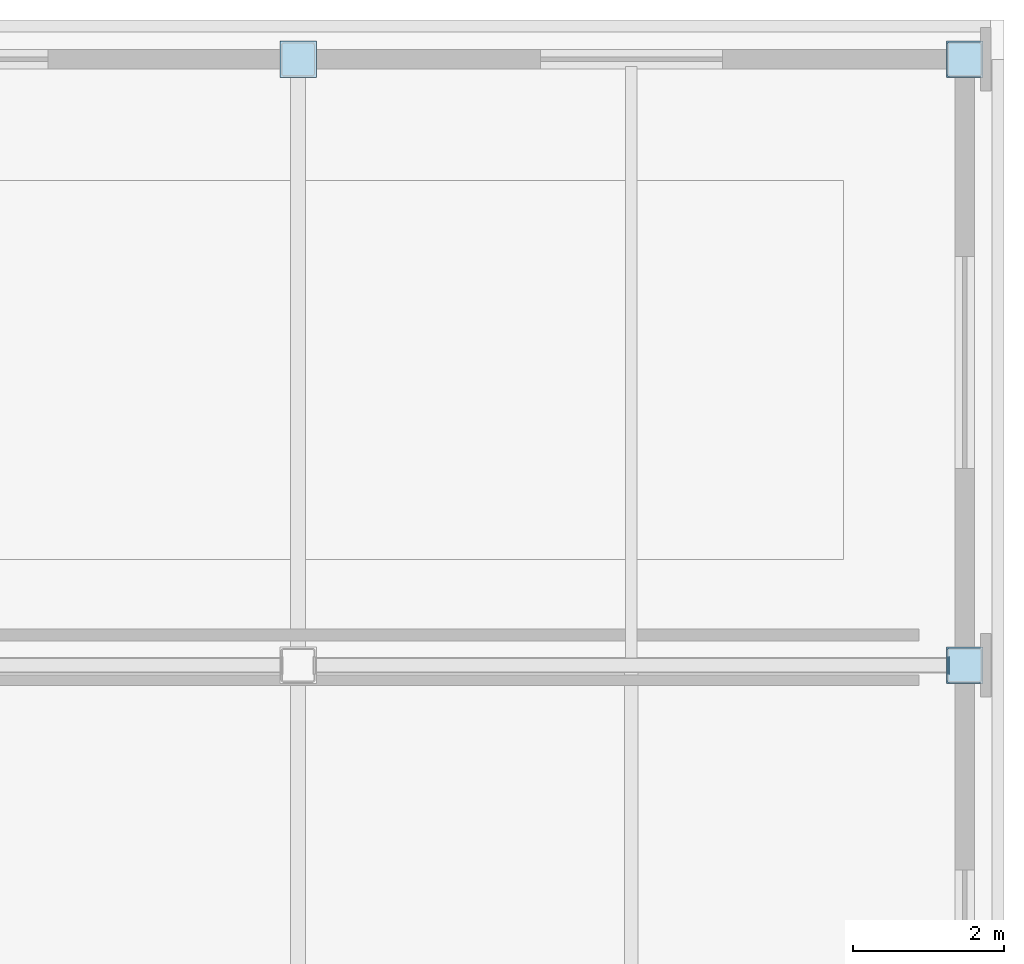
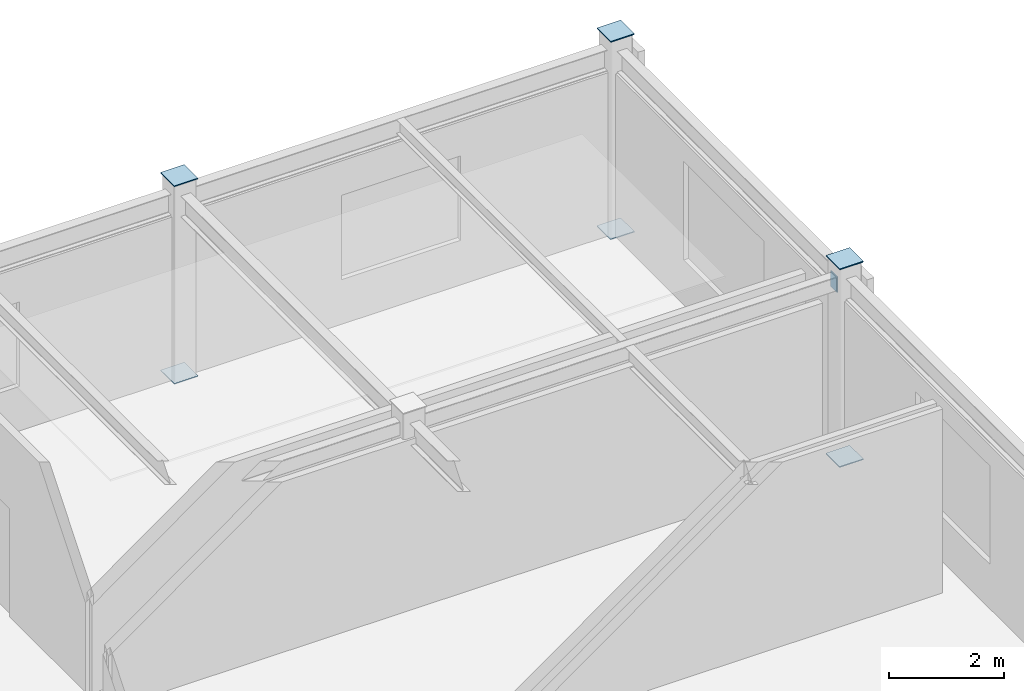
# One storey, part 11 of 18: 9 plates.
"""IFC4 building model written with IfcOpenShell, lengths in metres."""

from ifc_helpers import new_model, si_unit, direction, frame, origin, origin_2d, place, context, subcontext, project, spatial, rectangle, extrude, material, layer, layer_set, type_object, element, save


model = new_model("IFC4")

# Units and contexts
model_context = context("Model", 3, precision=1e-05, world=origin(), true_north=direction((0.0, 1.0)))
body_context = subcontext(model_context, "Body", "Model", "MODEL_VIEW")
ifc_project = project(units=[si_unit("LENGTHUNIT", "METRE"), si_unit("AREAUNIT", "SQUARE_METRE"), si_unit("VOLUMEUNIT", "CUBIC_METRE"), si_unit("PLANEANGLEUNIT", "RADIAN"), si_unit("MASSUNIT", "GRAM", prefix="KILO")], contexts=[model_context])

# Site, building, storey
site_placement = place(None, origin())
site = spatial("IfcSite", under=ifc_project, at=site_placement, CompositionType="ELEMENT")
building_placement = place(site_placement, origin())
building = spatial("IfcBuilding", under=site, at=building_placement, Name="Zhaolan Boulevard Law Courts", CompositionType="ELEMENT")
storey_placement = place(building_placement, frame((0.0, 0.0, 33.0)))
storey = spatial("IfcBuildingStorey", under=building, at=storey_placement, Name="L07", CompositionType="ELEMENT", Elevation=33.0)

# Plates
ifc_material = material(Name="Structural steel Q355B", Category="steel")
ifc_layer = layer(ifc_material, 0.02001953125)
ifc_layer_set = layer_set([ifc_layer])
plate_type = type_object("IfcPlateType", Name="END CAP PLATE 20", PredefinedType="SHEET", material=ifc_layer_set)
for number, where, z_axis, x_axis, name in (
    (1, (44.0, 62.0, 4.179931640625), (0.0, 0.0, 1.0), (1.0, 0.0, 0.0), "Hollow Column Top End-Cap Plate ECP-6J"),
    (2, (44.0, 70.0, 4.179931640625), (0.0, 0.0, 1.0), (1.0, 0.0, 0.0), "Hollow Column Top End-Cap Plate ECP-6K"),
):
    element("IfcPlate", number, at=place(storey_placement, frame(where, z_axis=z_axis, x_axis=x_axis)), inside=storey, type_object=plate_type, Name=name, PredefinedType="SHEET", context=body_context, shape_type="SweptSolid", body=[
        extrude(rectangle(XDim=0.449951171875, YDim=0.449951171875, at=origin_2d()), origin(), (0.0, 0.0, 1.0), 0.02001953125),
    ])
for number, where, z_axis, x_axis, name in (
    (3, (35.199951171875, 70.0, -0.01806640625), (0.0, 0.0, 1.0), (1.0, 0.0, 0.0), "Hollow Section End-Cap Plate ECP-0481"),
    (4, (35.199951171875, 70.0, 4.197998046875), (0.0, 0.0, 1.0), (1.0, 0.0, 0.0), "Hollow Section End-Cap Plate ECP-0482"),
    (5, (44.0, 62.0, -0.01806640625), (0.0, 0.0, 1.0), (1.0, 0.0, 0.0), "Hollow Section End-Cap Plate ECP-0575"),
    (6, (44.0, 62.0, 4.197998046875), (0.0, 0.0, 1.0), (1.0, 0.0, 0.0), "Hollow Section End-Cap Plate ECP-0576"),
    (7, (44.0, 70.0, -0.01806640625), (0.0, 0.0, 1.0), (1.0, 0.0, 0.0), "Hollow Section End-Cap Plate ECP-0593"),
    (8, (44.0, 70.0, 4.197998046875), (0.0, 0.0, 1.0), (1.0, 0.0, 0.0), "Hollow Section End-Cap Plate ECP-0594"),
):
    element("IfcPlate", number, at=place(storey_placement, frame(where, z_axis=z_axis, x_axis=x_axis)), inside=storey, type_object=plate_type, Name=name, PredefinedType="SHEET", context=body_context, shape_type="SweptSolid", body=[
        extrude(rectangle(XDim=0.47998046875, YDim=0.47998046875, at=origin_2d()), origin(), (0.0, 0.0, 1.0), 0.02001953125),
    ])
plate_placement = place(storey_placement, frame((43.787109375, 62.0, 3.633056640625), z_axis=(0.0, 0.0, 1.0), x_axis=(1.0, 0.0, 0.0)))
element("IfcPlate", 9, at=plate_placement, inside=storey, type_object=plate_type, Name="Hollow Section End-Cap Plate ECP-1038", PredefinedType="SHEET", context=body_context, shape_type="SweptSolid", body=[
    extrude(rectangle(XDim=0.02001953125, YDim=0.22998046875, at=origin_2d()), origin(), (0.0, 0.0, 1.0), 0.330078125),
])

save(model, "model.ifc")
